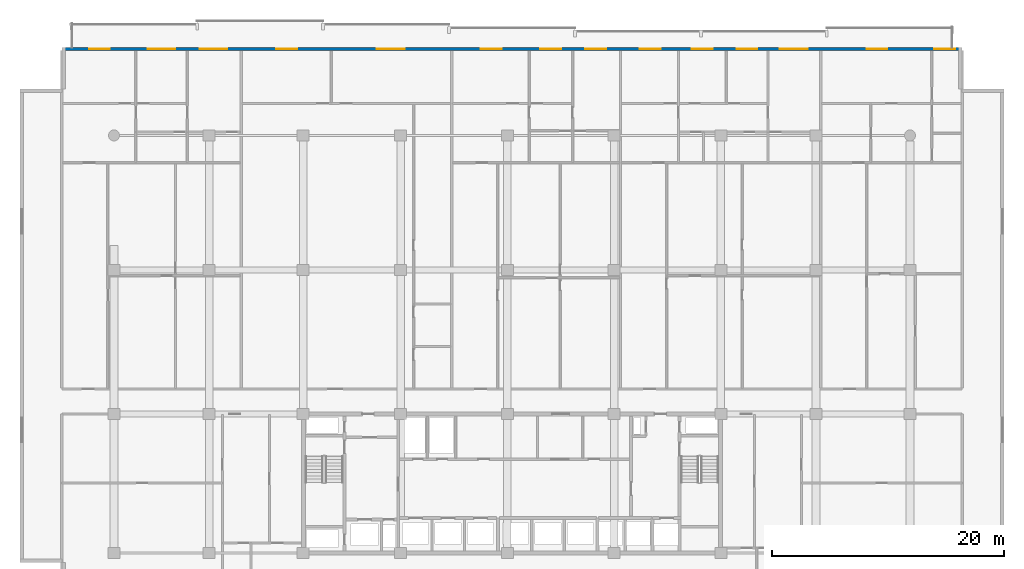
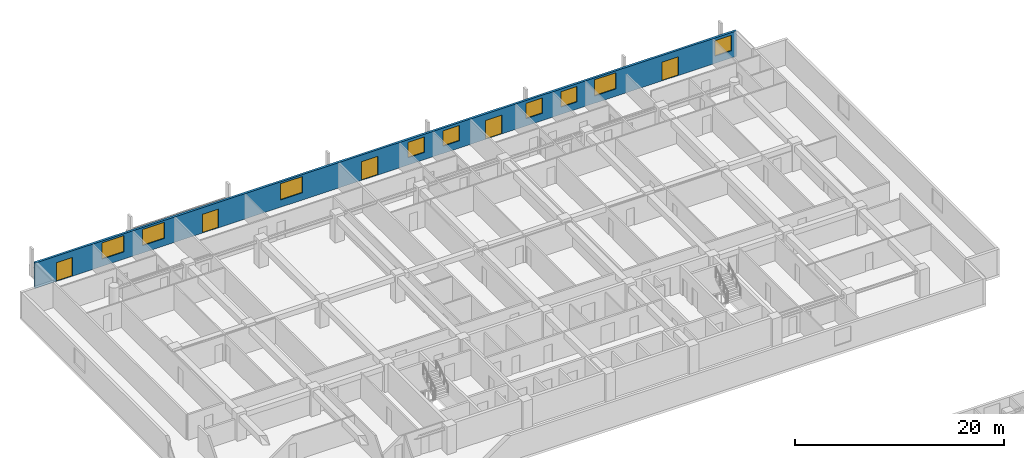
# One storey, part 16 of 23: 9 windows, 5 doors, 1 wall, 14 openings.
"""IFC4 building model written with IfcOpenShell, lengths in metres."""

from ifc_helpers import new_model, si_unit, direction, frame, frame_2d, origin, place, context, subcontext, project, spatial, rectangle, extrude, material, layer, layer_set, type_object, element, fill, save


model = new_model("IFC4")

# Units and contexts
model_context = context("Model", 3, precision=1e-05, world=origin(), true_north=direction((0.0, 1.0)))
body_context = subcontext(model_context, "Body", "Model", "MODEL_VIEW")
ifc_project = project(units=[si_unit("LENGTHUNIT", "METRE"), si_unit("AREAUNIT", "SQUARE_METRE"), si_unit("VOLUMEUNIT", "CUBIC_METRE"), si_unit("PLANEANGLEUNIT", "RADIAN"), si_unit("MASSUNIT", "GRAM", prefix="KILO")], contexts=[model_context])

# Site, building, storey
site_placement = place(None, origin())
site = spatial("IfcSite", under=ifc_project, at=site_placement, CompositionType="ELEMENT")
building_placement = place(site_placement, origin())
building = spatial("IfcBuilding", under=site, at=building_placement, Name="Korimba Cascade Residences", CompositionType="ELEMENT")
storey_placement = place(building_placement, frame((0.0, 0.0, 46.75)))
storey = spatial("IfcBuildingStorey", under=building, at=storey_placement, Name="L12", CompositionType="ELEMENT", Elevation=46.75)

# Wall, openings, doors, windows
ifc_material_1 = material(Name="Precast concrete C40/50", Category="concrete")
ifc_layer = layer(ifc_material_1, 0.25)
ifc_layer_set = layer_set([ifc_layer], Name="Precast concrete C40/50")
wall_type = type_object("IfcWallType", Name="EW-LOG-250", PredefinedType="STANDARD", material=ifc_layer_set)
wall_placement = place(storey_placement, frame((132.89990234375, 98.64990234375, 0.0), z_axis=(0.0, 0.0, 1.0), x_axis=(-1.0, 0.0, 0.0)))
wall = element("IfcWall", 1, at=wall_placement, inside=storey, type_object=wall_type, Name="L12 T1 Perimeter Stone Wall E06", PredefinedType="STANDARD", context=body_context, shape_type="SweptSolid", body=[
    extrude(rectangle(XDim=77.599853515625, YDim=0.25, at=frame_2d((38.7998046875, 0.0))), origin(), (0.0, 0.0, 1.0), 2.969970703125),
])
opening_1_placement = place(wall_placement, frame((67.800048828125, 0.0, 0.85009765625)))
opening_1 = element("IfcOpeningElement", 2, at=opening_1_placement, cuts=wall, Name="Opening W-01", PredefinedType="OPENING", context=body_context, shape_type="SweptSolid", body=[
    extrude(rectangle(XDim=2.39990234375, YDim=1.89990234375, at=frame_2d((1.199951171875, 0.949951171875))), frame((0.0, 0.135009765625, 0.0), z_axis=(0.0, -1.0, 0.0), x_axis=(1.0, 0.0, 0.0)), (0.0, 0.0, 1.0), 0.27001953125),
])
opening_2_placement = place(wall_placement, frame((73.449951171875, 0.0, 0.0)))
opening_2 = element("IfcOpeningElement", 3, at=opening_2_placement, cuts=wall, Name="Opening D-LG1", PredefinedType="OPENING", context=body_context, shape_type="SweptSolid", body=[
    extrude(rectangle(XDim=1.800048828125, YDim=2.199951171875, at=frame_2d((0.89990234375, 1.10009765625))), frame((0.0, 0.135009765625, 0.0), z_axis=(0.0, -1.0, 0.0), x_axis=(1.0, 0.0, 0.0)), (0.0, 0.0, 1.0), 0.27001953125),
])
opening_3_placement = place(wall_placement, frame((63.322509765625, 0.0, 0.85009765625)))
opening_3 = element("IfcOpeningElement", 4, at=opening_3_placement, cuts=wall, Name="Opening W-01", PredefinedType="OPENING", context=body_context, shape_type="SweptSolid", body=[
    extrude(rectangle(XDim=2.39990234375, YDim=1.89990234375, at=frame_2d((1.199951171875, 0.949951171875))), frame((0.0, 0.135009765625, 0.0), z_axis=(0.0, -1.0, 0.0), x_axis=(1.0, 0.0, 0.0)), (0.0, 0.0, 1.0), 0.27001953125),
])
opening_4_placement = place(wall_placement, frame((57.302490234375, 0.0, 0.0)))
opening_4 = element("IfcOpeningElement", 5, at=opening_4_placement, cuts=wall, Name="Opening D-LG1", PredefinedType="OPENING", context=body_context, shape_type="SweptSolid", body=[
    extrude(rectangle(XDim=1.800048828125, YDim=2.199951171875, at=frame_2d((0.89990234375, 1.10009765625))), frame((0.0, 0.135009765625, 0.0), z_axis=(0.0, -1.0, 0.0), x_axis=(1.0, 0.0, 0.0)), (0.0, 0.0, 1.0), 0.27001953125),
])
opening_5_placement = place(wall_placement, frame((48.052978515625, 0.0, 0.85009765625)))
opening_5 = element("IfcOpeningElement", 6, at=opening_5_placement, cuts=wall, Name="Opening W-01", PredefinedType="OPENING", context=body_context, shape_type="SweptSolid", body=[
    extrude(rectangle(XDim=2.39990234375, YDim=1.89990234375, at=frame_2d((1.199951171875, 0.949951171875))), frame((0.0, 0.135009765625, 0.0), z_axis=(0.0, -1.0, 0.0), x_axis=(1.0, 0.0, 0.0)), (0.0, 0.0, 1.0), 0.27001953125),
])
opening_6_placement = place(wall_placement, frame((34.54638671875, 0.0, 0.85009765625)))
opening_6 = element("IfcOpeningElement", 7, at=opening_6_placement, cuts=wall, Name="Opening W-02", PredefinedType="OPENING", context=body_context, shape_type="SweptSolid", body=[
    extrude(rectangle(XDim=1.800048828125, YDim=1.800048828125, at=frame_2d((0.89990234375, 0.89990234375))), frame((0.0, 0.135009765625, 0.0), z_axis=(0.0, -1.0, 0.0), x_axis=(1.0, 0.0, 0.0)), (0.0, 0.0, 1.0), 0.27001953125),
])
opening_7_placement = place(wall_placement, frame((39.702880859375, 0.0, 0.0)))
opening_7 = element("IfcOpeningElement", 8, at=opening_7_placement, cuts=wall, Name="Opening D-LG1", PredefinedType="OPENING", context=body_context, shape_type="SweptSolid", body=[
    extrude(rectangle(XDim=1.800048828125, YDim=2.199951171875, at=frame_2d((0.89990234375, 1.10009765625))), frame((0.0, 0.135009765625, 0.0), z_axis=(0.0, -1.0, 0.0), x_axis=(1.0, 0.0, 0.0)), (0.0, 0.0, 1.0), 0.27001953125),
])
opening_8_placement = place(wall_placement, frame((30.667724609375, 0.0, 0.85009765625)))
opening_8 = element("IfcOpeningElement", 9, at=opening_8_placement, cuts=wall, Name="Opening W-02", PredefinedType="OPENING", context=body_context, shape_type="SweptSolid", body=[
    extrude(rectangle(XDim=1.800048828125, YDim=1.800048828125, at=frame_2d((0.89990234375, 0.89990234375))), frame((0.0, 0.135009765625, 0.0), z_axis=(0.0, -1.0, 0.0), x_axis=(1.0, 0.0, 0.0)), (0.0, 0.0, 1.0), 0.27001953125),
])
opening_9_placement = place(wall_placement, frame((21.493408203125, 0.0, 0.85009765625)))
opening_9 = element("IfcOpeningElement", 10, at=opening_9_placement, cuts=wall, Name="Opening W-02", PredefinedType="OPENING", context=body_context, shape_type="SweptSolid", body=[
    extrude(rectangle(XDim=1.800048828125, YDim=1.800048828125, at=frame_2d((0.89990234375, 0.89990234375))), frame((0.0, 0.135009765625, 0.0), z_axis=(0.0, -1.0, 0.0), x_axis=(1.0, 0.0, 0.0)), (0.0, 0.0, 1.0), 0.27001953125),
])
opening_10_placement = place(wall_placement, frame((17.644775390625, 0.0, 0.85009765625)))
opening_10 = element("IfcOpeningElement", 11, at=opening_10_placement, cuts=wall, Name="Opening W-02", PredefinedType="OPENING", context=body_context, shape_type="SweptSolid", body=[
    extrude(rectangle(XDim=1.800048828125, YDim=1.800048828125, at=frame_2d((0.89990234375, 0.89990234375))), frame((0.0, 0.135009765625, 0.0), z_axis=(0.0, -1.0, 0.0), x_axis=(1.0, 0.0, 0.0)), (0.0, 0.0, 1.0), 0.27001953125),
])
opening_11_placement = place(wall_placement, frame((25.982421875, 0.0, 0.0)))
opening_11 = element("IfcOpeningElement", 12, at=opening_11_placement, cuts=wall, Name="Opening D-LG1", PredefinedType="OPENING", context=body_context, shape_type="SweptSolid", body=[
    extrude(rectangle(XDim=1.800048828125, YDim=2.199951171875, at=frame_2d((0.89990234375, 1.10009765625))), frame((0.0, 0.135009765625, 0.0), z_axis=(0.0, -1.0, 0.0), x_axis=(1.0, 0.0, 0.0)), (0.0, 0.0, 1.0), 0.27001953125),
])
opening_12_placement = place(wall_placement, frame((13.330322265625, 0.0, 0.85009765625)))
opening_12 = element("IfcOpeningElement", 13, at=opening_12_placement, cuts=wall, Name="Opening W-01", PredefinedType="OPENING", context=body_context, shape_type="SweptSolid", body=[
    extrude(rectangle(XDim=2.39990234375, YDim=1.89990234375, at=frame_2d((1.199951171875, 0.949951171875))), frame((0.0, 0.135009765625, 0.0), z_axis=(0.0, -1.0, 0.0), x_axis=(1.0, 0.0, 0.0)), (0.0, 0.0, 1.0), 0.27001953125),
])
opening_13_placement = place(wall_placement, frame((6.44775390625, 0.0, 0.0)))
opening_13 = element("IfcOpeningElement", 14, at=opening_13_placement, cuts=wall, Name="Opening D-LG1", PredefinedType="OPENING", context=body_context, shape_type="SweptSolid", body=[
    extrude(rectangle(XDim=1.800048828125, YDim=2.199951171875, at=frame_2d((0.89990234375, 1.10009765625))), frame((0.0, 0.135009765625, 0.0), z_axis=(0.0, -1.0, 0.0), x_axis=(1.0, 0.0, 0.0)), (0.0, 0.0, 1.0), 0.27001953125),
])
opening_14_placement = place(wall_placement, frame((0.60009765625, 0.0, 0.85009765625)))
opening_14 = element("IfcOpeningElement", 15, at=opening_14_placement, cuts=wall, Name="Opening W-02", PredefinedType="OPENING", context=body_context, shape_type="SweptSolid", body=[
    extrude(rectangle(XDim=1.800048828125, YDim=1.800048828125, at=frame_2d((0.89990234375, 0.89990234375))), frame((0.0, 0.135009765625, 0.0), z_axis=(0.0, -1.0, 0.0), x_axis=(1.0, 0.0, 0.0)), (0.0, 0.0, 1.0), 0.27001953125),
])
ifc_material_2 = material(Name="Glazed Aluminium Loggia Sliding Door", Category="aluminium")
door_type = type_object("IfcDoorType", Name="DR-EXT-LOG", OperationType="NOTDEFINED", PredefinedType="DOOR", material=ifc_material_2)
door_1_placement = place(opening_2_placement, origin())
door_1 = element("IfcDoor", 16, at=door_1_placement, inside=storey, type_object=door_type, Name="L12 T1 Loggia Sliding Door 4", OperationType="SLIDING_TO_LEFT", OverallHeight=2.199951171875, OverallWidth=1.800048828125, PredefinedType="DOOR", context=body_context, shape_type="SweptSolid", body=[
    extrude(rectangle(XDim=1.800048828125, YDim=2.199951171875, at=frame_2d((0.89990234375, 1.10009765625))), frame((0.0, 0.02490234375, 0.0), z_axis=(0.0, -1.0, 0.0), x_axis=(1.0, 0.0, 0.0)), (0.0, 0.0, 1.0), 0.050048828125),
])
fill(opening_2, door_1)
door_2_placement = place(opening_4_placement, origin())
door_2 = element("IfcDoor", 17, at=door_2_placement, inside=storey, type_object=door_type, Name="L12 T1 Loggia Sliding Door 6", OperationType="SLIDING_TO_LEFT", OverallHeight=2.199951171875, OverallWidth=1.800048828125, PredefinedType="DOOR", context=body_context, shape_type="SweptSolid", body=[
    extrude(rectangle(XDim=1.800048828125, YDim=2.199951171875, at=frame_2d((0.89990234375, 1.10009765625))), frame((0.0, 0.02490234375, 0.0), z_axis=(0.0, -1.0, 0.0), x_axis=(1.0, 0.0, 0.0)), (0.0, 0.0, 1.0), 0.050048828125),
])
fill(opening_4, door_2)
door_3_placement = place(opening_7_placement, origin())
door_3 = element("IfcDoor", 18, at=door_3_placement, inside=storey, type_object=door_type, Name="L12 T1 Loggia Sliding Door 9", OperationType="SLIDING_TO_LEFT", OverallHeight=2.199951171875, OverallWidth=1.800048828125, PredefinedType="DOOR", context=body_context, shape_type="SweptSolid", body=[
    extrude(rectangle(XDim=1.800048828125, YDim=2.199951171875, at=frame_2d((0.89990234375, 1.10009765625))), frame((0.0, 0.02490234375, 0.0), z_axis=(0.0, -1.0, 0.0), x_axis=(1.0, 0.0, 0.0)), (0.0, 0.0, 1.0), 0.050048828125),
])
fill(opening_7, door_3)
door_4_placement = place(opening_11_placement, origin())
door_4 = element("IfcDoor", 19, at=door_4_placement, inside=storey, type_object=door_type, Name="L12 T1 Loggia Sliding Door 13", OperationType="SLIDING_TO_LEFT", OverallHeight=2.199951171875, OverallWidth=1.800048828125, PredefinedType="DOOR", context=body_context, shape_type="SweptSolid", body=[
    extrude(rectangle(XDim=1.800048828125, YDim=2.199951171875, at=frame_2d((0.89990234375, 1.10009765625))), frame((0.0, 0.02490234375, 0.0), z_axis=(0.0, -1.0, 0.0), x_axis=(1.0, 0.0, 0.0)), (0.0, 0.0, 1.0), 0.050048828125),
])
fill(opening_11, door_4)
door_5_placement = place(opening_13_placement, origin())
door_5 = element("IfcDoor", 20, at=door_5_placement, inside=storey, type_object=door_type, Name="L12 T1 Loggia Sliding Door 15", OperationType="SLIDING_TO_LEFT", OverallHeight=2.199951171875, OverallWidth=1.800048828125, PredefinedType="DOOR", context=body_context, shape_type="SweptSolid", body=[
    extrude(rectangle(XDim=1.800048828125, YDim=2.199951171875, at=frame_2d((0.89990234375, 1.10009765625))), frame((0.0, 0.02490234375, 0.0), z_axis=(0.0, -1.0, 0.0), x_axis=(1.0, 0.0, 0.0)), (0.0, 0.0, 1.0), 0.050048828125),
])
fill(opening_13, door_5)
ifc_material_3 = material(Name="Double-Glazed Aluminium Window", Category="aluminium")
window_type_1 = type_object("IfcWindowType", Name="WIN-BED-1800", PartitioningType="SINGLE_PANEL", PredefinedType="WINDOW", material=ifc_material_3)
window_1_placement = place(opening_6_placement, origin())
window_1 = element("IfcWindow", 21, at=window_1_placement, inside=storey, type_object=window_type_1, Name="L12 T1 North Facade Window 8", OverallHeight=1.800048828125, OverallWidth=1.800048828125, PartitioningType="SINGLE_PANEL", PredefinedType="WINDOW", context=body_context, shape_type="SweptSolid", body=[
    extrude(rectangle(XDim=1.800048828125, YDim=1.800048828125, at=frame_2d((0.89990234375, 0.89990234375))), frame((0.0, 0.030029296875, 0.0), z_axis=(0.0, -1.0, 0.0), x_axis=(1.0, 0.0, 0.0)), (0.0, 0.0, 1.0), 0.06005859375),
])
fill(opening_6, window_1)
window_2_placement = place(opening_8_placement, origin())
window_2 = element("IfcWindow", 22, at=window_2_placement, inside=storey, type_object=window_type_1, Name="L12 T1 North Facade Window 10", OverallHeight=1.800048828125, OverallWidth=1.800048828125, PartitioningType="SINGLE_PANEL", PredefinedType="WINDOW", context=body_context, shape_type="SweptSolid", body=[
    extrude(rectangle(XDim=1.800048828125, YDim=1.800048828125, at=frame_2d((0.89990234375, 0.89990234375))), frame((0.0, 0.030029296875, 0.0), z_axis=(0.0, -1.0, 0.0), x_axis=(1.0, 0.0, 0.0)), (0.0, 0.0, 1.0), 0.06005859375),
])
fill(opening_8, window_2)
window_3_placement = place(opening_9_placement, origin())
window_3 = element("IfcWindow", 23, at=window_3_placement, inside=storey, type_object=window_type_1, Name="L12 T1 North Facade Window 11", OverallHeight=1.800048828125, OverallWidth=1.800048828125, PartitioningType="SINGLE_PANEL", PredefinedType="WINDOW", context=body_context, shape_type="SweptSolid", body=[
    extrude(rectangle(XDim=1.800048828125, YDim=1.800048828125, at=frame_2d((0.89990234375, 0.89990234375))), frame((0.0, 0.030029296875, 0.0), z_axis=(0.0, -1.0, 0.0), x_axis=(1.0, 0.0, 0.0)), (0.0, 0.0, 1.0), 0.06005859375),
])
fill(opening_9, window_3)
window_4_placement = place(opening_10_placement, origin())
window_4 = element("IfcWindow", 24, at=window_4_placement, inside=storey, type_object=window_type_1, Name="L12 T1 North Facade Window 12", OverallHeight=1.800048828125, OverallWidth=1.800048828125, PartitioningType="SINGLE_PANEL", PredefinedType="WINDOW", context=body_context, shape_type="SweptSolid", body=[
    extrude(rectangle(XDim=1.800048828125, YDim=1.800048828125, at=frame_2d((0.89990234375, 0.89990234375))), frame((0.0, 0.030029296875, 0.0), z_axis=(0.0, -1.0, 0.0), x_axis=(1.0, 0.0, 0.0)), (0.0, 0.0, 1.0), 0.06005859375),
])
fill(opening_10, window_4)
window_5_placement = place(opening_14_placement, origin())
window_5 = element("IfcWindow", 25, at=window_5_placement, inside=storey, type_object=window_type_1, Name="L12 T1 North Facade Window 16", OverallHeight=1.800048828125, OverallWidth=1.800048828125, PartitioningType="SINGLE_PANEL", PredefinedType="WINDOW", context=body_context, shape_type="SweptSolid", body=[
    extrude(rectangle(XDim=1.800048828125, YDim=1.800048828125, at=frame_2d((0.89990234375, 0.89990234375))), frame((0.0, 0.030029296875, 0.0), z_axis=(0.0, -1.0, 0.0), x_axis=(1.0, 0.0, 0.0)), (0.0, 0.0, 1.0), 0.06005859375),
])
fill(opening_14, window_5)
window_type_2 = type_object("IfcWindowType", Name="WIN-RES-2400", PartitioningType="DOUBLE_PANEL_VERTICAL", PredefinedType="WINDOW", material=ifc_material_3)
window_6_placement = place(opening_1_placement, origin())
window_6 = element("IfcWindow", 26, at=window_6_placement, inside=storey, type_object=window_type_2, Name="L12 T1 North Facade Window 3", OverallHeight=1.89990234375, OverallWidth=2.39990234375, PartitioningType="DOUBLE_PANEL_VERTICAL", PredefinedType="WINDOW", context=body_context, shape_type="SweptSolid", body=[
    extrude(rectangle(XDim=2.39990234375, YDim=1.89990234375, at=frame_2d((1.199951171875, 0.949951171875))), frame((0.0, 0.030029296875, 0.0), z_axis=(0.0, -1.0, 0.0), x_axis=(1.0, 0.0, 0.0)), (0.0, 0.0, 1.0), 0.06005859375),
])
fill(opening_1, window_6)
window_7_placement = place(opening_3_placement, origin())
window_7 = element("IfcWindow", 27, at=window_7_placement, inside=storey, type_object=window_type_2, Name="L12 T1 North Facade Window 5", OverallHeight=1.89990234375, OverallWidth=2.39990234375, PartitioningType="DOUBLE_PANEL_VERTICAL", PredefinedType="WINDOW", context=body_context, shape_type="SweptSolid", body=[
    extrude(rectangle(XDim=2.39990234375, YDim=1.89990234375, at=frame_2d((1.199951171875, 0.949951171875))), frame((0.0, 0.030029296875, 0.0), z_axis=(0.0, -1.0, 0.0), x_axis=(1.0, 0.0, 0.0)), (0.0, 0.0, 1.0), 0.06005859375),
])
fill(opening_3, window_7)
window_8_placement = place(opening_5_placement, origin())
window_8 = element("IfcWindow", 28, at=window_8_placement, inside=storey, type_object=window_type_2, Name="L12 T1 North Facade Window 7", OverallHeight=1.89990234375, OverallWidth=2.39990234375, PartitioningType="DOUBLE_PANEL_VERTICAL", PredefinedType="WINDOW", context=body_context, shape_type="SweptSolid", body=[
    extrude(rectangle(XDim=2.39990234375, YDim=1.89990234375, at=frame_2d((1.199951171875, 0.949951171875))), frame((0.0, 0.030029296875, 0.0), z_axis=(0.0, -1.0, 0.0), x_axis=(1.0, 0.0, 0.0)), (0.0, 0.0, 1.0), 0.06005859375),
])
fill(opening_5, window_8)
window_9_placement = place(opening_12_placement, origin())
window_9 = element("IfcWindow", 29, at=window_9_placement, inside=storey, type_object=window_type_2, Name="L12 T1 North Facade Window 14", OverallHeight=1.89990234375, OverallWidth=2.39990234375, PartitioningType="DOUBLE_PANEL_VERTICAL", PredefinedType="WINDOW", context=body_context, shape_type="SweptSolid", body=[
    extrude(rectangle(XDim=2.39990234375, YDim=1.89990234375, at=frame_2d((1.199951171875, 0.949951171875))), frame((0.0, 0.030029296875, 0.0), z_axis=(0.0, -1.0, 0.0), x_axis=(1.0, 0.0, 0.0)), (0.0, 0.0, 1.0), 0.06005859375),
])
fill(opening_12, window_9)

save(model, "model.ifc")
